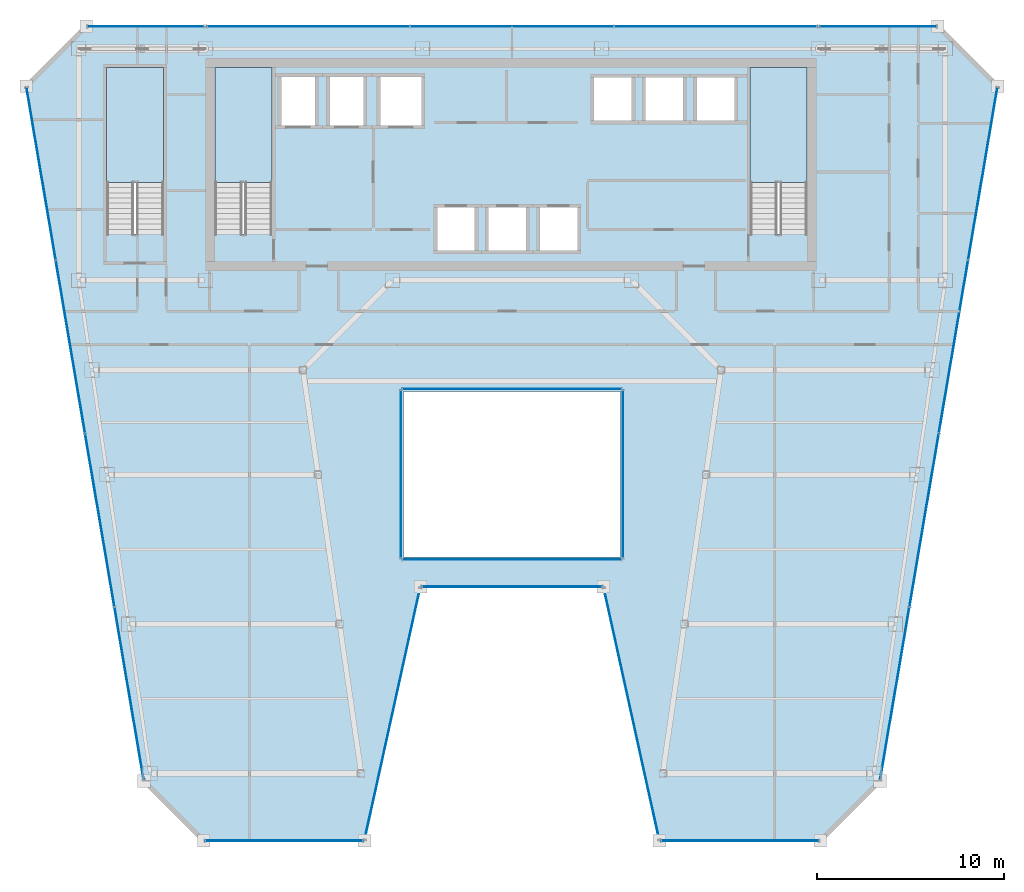
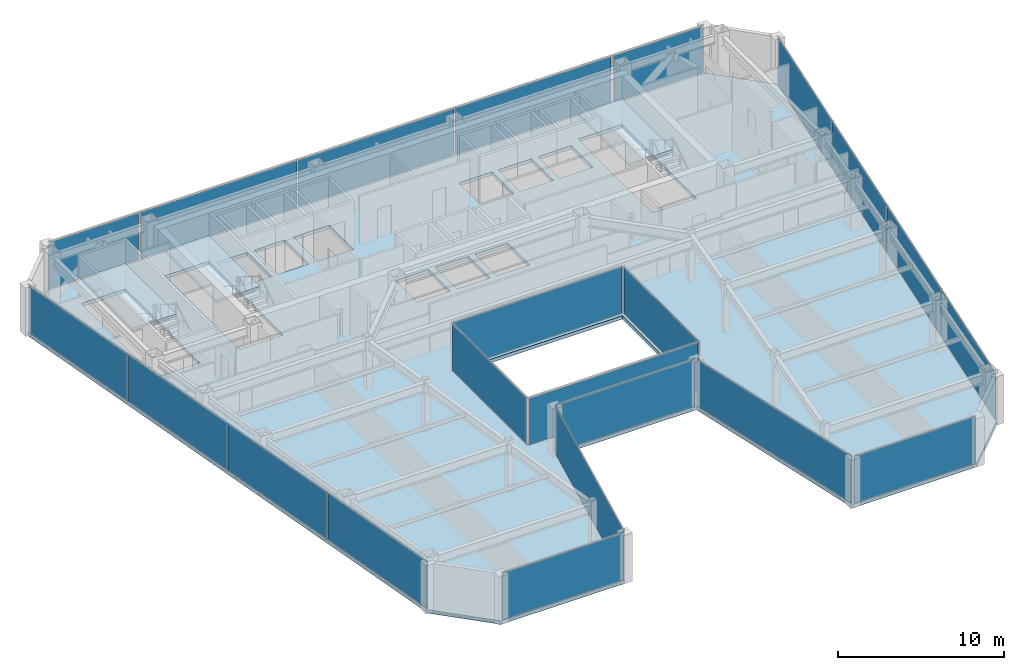
# One storey, part 28 of 35: 22 plates, 4 slabs, 17 elements without a shape of their own.
"""IFC4 building model written with IfcOpenShell, lengths in metres."""

from ifc_helpers import new_model, si_unit, direction, frame, origin, origin_2d, place, context, subcontext, project, spatial, polyline, rectangle, outline, extrude, material, layer, layer_set, type_object, element, aggregate, save


model = new_model("IFC4")

# Units and contexts
model_context = context("Model", 3, precision=1e-05, world=origin(), true_north=direction((0.0, 1.0)))
body_context = subcontext(model_context, "Body", "Model", "MODEL_VIEW")
ifc_project = project(units=[si_unit("LENGTHUNIT", "METRE"), si_unit("AREAUNIT", "SQUARE_METRE"), si_unit("VOLUMEUNIT", "CUBIC_METRE"), si_unit("PLANEANGLEUNIT", "RADIAN"), si_unit("MASSUNIT", "GRAM", prefix="KILO")], contexts=[model_context])

# Site, building, storey
site_placement = place(None, origin())
site = spatial("IfcSite", under=ifc_project, at=site_placement, CompositionType="ELEMENT")
building_placement = place(site_placement, origin())
building = spatial("IfcBuilding", under=site, at=building_placement, Name="Saevonmaru Cultural Tower", CompositionType="ELEMENT")
storey_placement = place(building_placement, frame((0.0, 0.0, 213.199951171875)))
storey = spatial("IfcBuildingStorey", under=building, at=storey_placement, Name="L49", CompositionType="ELEMENT", Elevation=213.199951171875)

# Curtain wall, plate
ifc_material_1 = material(Name="Satin Bronze Anodised Aluminium", Category="aluminium")
curtain_wall_type_1 = type_object("IfcCurtainWallType", Name="CW-ATR-GLZ", PredefinedType="NOTDEFINED", material=ifc_material_1)
curtain_wall_1_placement = place(storey_placement, origin())
curtain_wall_1 = element("IfcCurtainWall", 1, at=curtain_wall_1_placement, inside=storey, type_object=curtain_wall_type_1, Name="L49 Vertical Atrium Glazed Smoke Screen 1", PredefinedType="NOTDEFINED")
ifc_material_2 = material(Name="Fire-Rated Laminated Atrium Glass", Category="glass")
ifc_layer_1 = layer(ifc_material_2, 0.031982421875, Name="Fire-Rated Laminated Atrium Glass")
ifc_layer_set_1 = layer_set([ifc_layer_1], Name="Fire-Rated Laminated Atrium Glass")
plate_type_1 = type_object("IfcPlateType", Name="PN-GLZ-ATR-INT", PredefinedType="CURTAIN_PANEL", material=ifc_layer_set_1)
plate_1_placement = place(storey_placement, frame((30.0, 27.449951171875, 0.067138671875), z_axis=(0.0, 0.0, 1.0), x_axis=(1.0, 0.0, 0.0)))
plate_1 = element("IfcPlate", 2, at=plate_1_placement, type_object=plate_type_1, Name="CW-ATR-L49-1 panel 1.1", PredefinedType="CURTAIN_PANEL", context=body_context, shape_type="SweptSolid", body=[
    extrude(rectangle(XDim=11.7109375, YDim=0.031982421875, at=origin_2d()), origin(), (0.0, 0.0, 1.0), 3.416015625),
])
aggregate(curtain_wall_1, [plate_1])

curtain_wall_2_placement = place(storey_placement, origin())
curtain_wall_2 = element("IfcCurtainWall", 3, at=curtain_wall_2_placement, inside=storey, type_object=curtain_wall_type_1, Name="L49 Vertical Atrium Glazed Smoke Screen 2", PredefinedType="NOTDEFINED")
plate_2_placement = place(storey_placement, frame((35.949951171875, 32.02001953125, 0.067138671875), z_axis=(0.0, 0.0, 1.0), x_axis=(0.0, 1.0, 0.0)))
plate_2 = element("IfcPlate", 4, at=plate_2_placement, type_object=plate_type_1, Name="CW-ATR-L49-2 panel 1.1", PredefinedType="CURTAIN_PANEL", context=body_context, shape_type="SweptSolid", body=[
    extrude(rectangle(XDim=8.950927734375, YDim=0.031982421875, at=origin_2d()), origin(), (0.0, 0.0, 1.0), 3.416015625),
])
aggregate(curtain_wall_2, [plate_2])

curtain_wall_3_placement = place(storey_placement, origin())
curtain_wall_3 = element("IfcCurtainWall", 5, at=curtain_wall_3_placement, inside=storey, type_object=curtain_wall_type_1, Name="L49 Vertical Atrium Glazed Smoke Screen 3", PredefinedType="NOTDEFINED")
plate_3_placement = place(storey_placement, frame((30.0, 36.590087890625, 0.067138671875), z_axis=(0.0, 0.0, 1.0), x_axis=(-1.0, 0.0, 0.0)))
plate_3 = element("IfcPlate", 6, at=plate_3_placement, type_object=plate_type_1, Name="CW-ATR-L49-3 panel 1.1", PredefinedType="CURTAIN_PANEL", context=body_context, shape_type="SweptSolid", body=[
    extrude(rectangle(XDim=11.7109375, YDim=0.031982421875, at=origin_2d()), origin(), (0.0, 0.0, 1.0), 3.416015625),
])
aggregate(curtain_wall_3, [plate_3])

curtain_wall_4_placement = place(storey_placement, origin())
curtain_wall_4 = element("IfcCurtainWall", 7, at=curtain_wall_4_placement, inside=storey, type_object=curtain_wall_type_1, Name="L49 Vertical Atrium Glazed Smoke Screen 4", PredefinedType="NOTDEFINED")
plate_4_placement = place(storey_placement, frame((24.050048828125, 32.02001953125, 0.067138671875), z_axis=(0.0, 0.0, 1.0), x_axis=(0.0, -1.0, 0.0)))
plate_4 = element("IfcPlate", 8, at=plate_4_placement, type_object=plate_type_1, Name="CW-ATR-L49-4 panel 1.1", PredefinedType="CURTAIN_PANEL", context=body_context, shape_type="SweptSolid", body=[
    extrude(rectangle(XDim=8.950927734375, YDim=0.031982421875, at=origin_2d()), origin(), (0.0, 0.0, 1.0), 3.416015625),
])
aggregate(curtain_wall_4, [plate_4])

curtain_wall_type_2 = type_object("IfcCurtainWallType", Name="CW-TYP-B", PredefinedType="NOTDEFINED", material=ifc_material_1)
curtain_wall_5_placement = place(storey_placement, origin())
curtain_wall_5 = element("IfcCurtainWall", 9, at=curtain_wall_5_placement, inside=storey, type_object=curtain_wall_type_2, Name="L49 Unitised Curtain Wall E2", PredefinedType="NOTDEFINED")
ifc_material_3 = material(Name="Triple Silver Low-E Insulating Glass", Category="glass")
ifc_layer_2 = layer(ifc_material_3, 0.035888671875, Name="Triple Silver Low-E Insulating Glass")
ifc_layer_set_2 = layer_set([ifc_layer_2], Name="Triple Silver Low-E Insulating Glass")
plate_type_2 = type_object("IfcPlateType", Name="PN-GLZ-IGU", PredefinedType="CURTAIN_PANEL", material=ifc_layer_set_2)
plate_5_placement = place(storey_placement, frame((17.7978515625, 12.39990234375, 0.067138671875), z_axis=(0.0, 0.0, 1.0), x_axis=(1.0, 0.0, 0.0)))
plate_5 = element("IfcPlate", 10, at=plate_5_placement, type_object=plate_type_2, Name="CW-TW-L49-E2 panel 1.1", PredefinedType="CURTAIN_PANEL", context=body_context, shape_type="SweptSolid", body=[
    extrude(rectangle(XDim=8.410888671875, YDim=0.035888671875, at=origin_2d()), origin(), (0.0, 0.0, 1.0), 3.416015625),
])
aggregate(curtain_wall_5, [plate_5])

curtain_wall_6_placement = place(storey_placement, origin())
curtain_wall_6 = element("IfcCurtainWall", 11, at=curtain_wall_6_placement, inside=storey, type_object=curtain_wall_type_2, Name="L49 Unitised Curtain Wall E3", PredefinedType="NOTDEFINED")
plate_6_placement = place(storey_placement, frame((23.597900390625, 19.199951171875, 0.067138671875), z_axis=(0.0, 0.0, 1.0), x_axis=(0.215413319953, 0.976522965212, 0.0)))
plate_6 = element("IfcPlate", 12, at=plate_6_placement, type_object=plate_type_2, Name="CW-TW-L49-E3 panel 1.1", PredefinedType="CURTAIN_PANEL", context=body_context, shape_type="SweptSolid", body=[
    extrude(rectangle(XDim=13.738037109375, YDim=0.035888671875, at=origin_2d()), origin(), (0.0, 0.0, 1.0), 3.416015625),
])
aggregate(curtain_wall_6, [plate_6])

curtain_wall_7_placement = place(storey_placement, origin())
curtain_wall_7 = element("IfcCurtainWall", 13, at=curtain_wall_7_placement, inside=storey, type_object=curtain_wall_type_2, Name="L49 Unitised Curtain Wall E4", PredefinedType="NOTDEFINED")
plate_7_placement = place(storey_placement, frame((30.0, 26.0, 0.067138671875), z_axis=(0.0, 0.0, 1.0), x_axis=(1.0, 0.0, 0.0)))
plate_7 = element("IfcPlate", 14, at=plate_7_placement, type_object=plate_type_2, Name="CW-TW-L49-E4 panel 1.1", PredefinedType="CURTAIN_PANEL", context=body_context, shape_type="SweptSolid", body=[
    extrude(rectangle(XDim=9.615478515625, YDim=0.035888671875, at=origin_2d()), origin(), (0.0, 0.0, 1.0), 3.416015625),
])
aggregate(curtain_wall_7, [plate_7])

curtain_wall_8_placement = place(storey_placement, origin())
curtain_wall_8 = element("IfcCurtainWall", 15, at=curtain_wall_8_placement, inside=storey, type_object=curtain_wall_type_2, Name="L49 Unitised Curtain Wall E5", PredefinedType="NOTDEFINED")
plate_8_placement = place(storey_placement, frame((36.402099609375, 19.199951171875, 0.067138671875), z_axis=(0.0, 0.0, 1.0), x_axis=(0.215413319953, -0.976522965212, 0.0)))
plate_8 = element("IfcPlate", 16, at=plate_8_placement, type_object=plate_type_2, Name="CW-TW-L49-E5 panel 1.1", PredefinedType="CURTAIN_PANEL", context=body_context, shape_type="SweptSolid", body=[
    extrude(rectangle(XDim=13.738037109375, YDim=0.035888671875, at=origin_2d()), origin(), (0.0, 0.0, 1.0), 3.416015625),
])
aggregate(curtain_wall_8, [plate_8])

curtain_wall_9_placement = place(storey_placement, origin())
curtain_wall_9 = element("IfcCurtainWall", 17, at=curtain_wall_9_placement, inside=storey, type_object=curtain_wall_type_2, Name="L49 Unitised Curtain Wall E6", PredefinedType="NOTDEFINED")
plate_9_placement = place(storey_placement, frame((42.2021484375, 12.39990234375, 0.067138671875), z_axis=(0.0, 0.0, 1.0), x_axis=(1.0, 0.0, 0.0)))
plate_9 = element("IfcPlate", 18, at=plate_9_placement, type_object=plate_type_2, Name="CW-TW-L49-E6 panel 1.1", PredefinedType="CURTAIN_PANEL", context=body_context, shape_type="SweptSolid", body=[
    extrude(rectangle(XDim=8.410888671875, YDim=0.035888671875, at=origin_2d()), origin(), (0.0, 0.0, 1.0), 3.416015625),
])
aggregate(curtain_wall_9, [plate_9])

# Curtain wall, plates
curtain_wall_10_placement = place(storey_placement, origin())
curtain_wall_10 = element("IfcCurtainWall", 19, at=curtain_wall_10_placement, inside=storey, type_object=curtain_wall_type_2, Name="L49 Unitised Curtain Wall E8", PredefinedType="NOTDEFINED")
plate_10_placement = place(storey_placement, frame((50.496826171875, 20.29443359375, 0.067138671875), z_axis=(0.0, 0.0, 1.0), x_axis=(0.16692169721, 0.985970155228, 0.0)))
plate_10 = element("IfcPlate", 20, at=plate_10_placement, type_object=plate_type_2, Name="CW-TW-L49-E8 panel 1.1", PredefinedType="CURTAIN_PANEL", context=body_context, shape_type="SweptSolid", body=[
    extrude(rectangle(XDim=9.333251953125, YDim=0.035888671875, at=origin_2d()), origin(), (0.0, 0.0, 1.0), 3.416015625),
])
plate_11_placement = place(storey_placement, frame((52.06640625, 29.564697265625, 0.067138671875), z_axis=(0.0, 0.0, 1.0), x_axis=(0.16692169721, 0.985970155228, 0.0)))
plate_11 = element("IfcPlate", 21, at=plate_11_placement, type_object=plate_type_2, Name="CW-TW-L49-E8 panel 2.1", PredefinedType="CURTAIN_PANEL", context=body_context, shape_type="SweptSolid", body=[
    extrude(rectangle(XDim=9.333251953125, YDim=0.035888671875, at=origin_2d()), origin(), (0.0, 0.0, 1.0), 3.416015625),
])
plate_12_placement = place(storey_placement, frame((53.6357421875, 38.835205078125, 0.067138671875), z_axis=(0.0, 0.0, 1.0), x_axis=(0.16692169721, 0.985970155228, 0.0)))
plate_12 = element("IfcPlate", 22, at=plate_12_placement, type_object=plate_type_2, Name="CW-TW-L49-E8 panel 3.1", PredefinedType="CURTAIN_PANEL", context=body_context, shape_type="SweptSolid", body=[
    extrude(rectangle(XDim=9.333251953125, YDim=0.035888671875, at=origin_2d()), origin(), (0.0, 0.0, 1.0), 3.416015625),
])
plate_13_placement = place(storey_placement, frame((55.205322265625, 48.105712890625, 0.067138671875), z_axis=(0.0, 0.0, 1.0), x_axis=(0.16692169721, 0.985970155228, 0.0)))
plate_13 = element("IfcPlate", 23, at=plate_13_placement, type_object=plate_type_2, Name="CW-TW-L49-E8 panel 4.1", PredefinedType="CURTAIN_PANEL", context=body_context, shape_type="SweptSolid", body=[
    extrude(rectangle(XDim=9.333251953125, YDim=0.035888671875, at=origin_2d()), origin(), (0.0, 0.0, 1.0), 3.416015625),
])
aggregate(curtain_wall_10, [plate_10, plate_11, plate_12, plate_13])

curtain_wall_11_placement = place(storey_placement, origin())
curtain_wall_11 = element("IfcCurtainWall", 24, at=curtain_wall_11_placement, inside=storey, type_object=curtain_wall_type_2, Name="L49 North Spine Unitised Curtain Wall E10B", PredefinedType="NOTDEFINED")
plate_14_placement = place(storey_placement, frame((40.893310546875, 56.0, 0.067138671875), z_axis=(0.0, 0.0, 1.0), x_axis=(-1.0, 0.0, 0.0)))
plate_14 = element("IfcPlate", 25, at=plate_14_placement, type_object=plate_type_2, Name="CW-TW-L49-E10B panel 1.1", PredefinedType="CURTAIN_PANEL", context=body_context, shape_type="SweptSolid", body=[
    extrude(rectangle(XDim=10.82421875, YDim=0.035888671875, at=origin_2d()), origin(), (0.0, 0.0, 1.0), 3.416015625),
])
plate_15_placement = place(storey_placement, frame((30.0, 56.0, 0.067138671875), z_axis=(0.0, 0.0, 1.0), x_axis=(-1.0, 0.0, 0.0)))
plate_15 = element("IfcPlate", 26, at=plate_15_placement, type_object=plate_type_2, Name="CW-TW-L49-E10B panel 2.1", PredefinedType="CURTAIN_PANEL", context=body_context, shape_type="SweptSolid", body=[
    extrude(rectangle(XDim=10.82421875, YDim=0.035888671875, at=origin_2d()), origin(), (0.0, 0.0, 1.0), 3.416015625),
])
plate_16_placement = place(storey_placement, frame((19.106689453125, 56.0, 0.067138671875), z_axis=(0.0, 0.0, 1.0), x_axis=(-1.0, 0.0, 0.0)))
plate_16 = element("IfcPlate", 27, at=plate_16_placement, type_object=plate_type_2, Name="CW-TW-L49-E10B panel 3.1", PredefinedType="CURTAIN_PANEL", context=body_context, shape_type="SweptSolid", body=[
    extrude(rectangle(XDim=10.82421875, YDim=0.035888671875, at=origin_2d()), origin(), (0.0, 0.0, 1.0), 3.416015625),
])
aggregate(curtain_wall_11, [plate_14, plate_15, plate_16])

curtain_wall_12_placement = place(storey_placement, origin())
curtain_wall_12 = element("IfcCurtainWall", 28, at=curtain_wall_12_placement, inside=storey, type_object=curtain_wall_type_2, Name="L49 Unitised Curtain Wall E12", PredefinedType="NOTDEFINED")
plate_17_placement = place(storey_placement, frame((4.794677734375, 48.105712890625, 0.067138671875), z_axis=(0.0, 0.0, 1.0), x_axis=(0.16692169721, -0.985970155228, 0.0)))
plate_17 = element("IfcPlate", 29, at=plate_17_placement, type_object=plate_type_2, Name="CW-TW-L49-E12 panel 1.1", PredefinedType="CURTAIN_PANEL", context=body_context, shape_type="SweptSolid", body=[
    extrude(rectangle(XDim=9.333251953125, YDim=0.035888671875, at=origin_2d()), origin(), (0.0, 0.0, 1.0), 3.416015625),
])
plate_18_placement = place(storey_placement, frame((6.3642578125, 38.835205078125, 0.067138671875), z_axis=(0.0, 0.0, 1.0), x_axis=(0.16692169721, -0.985970155228, 0.0)))
plate_18 = element("IfcPlate", 30, at=plate_18_placement, type_object=plate_type_2, Name="CW-TW-L49-E12 panel 2.1", PredefinedType="CURTAIN_PANEL", context=body_context, shape_type="SweptSolid", body=[
    extrude(rectangle(XDim=9.333251953125, YDim=0.035888671875, at=origin_2d()), origin(), (0.0, 0.0, 1.0), 3.416015625),
])
plate_19_placement = place(storey_placement, frame((7.93359375, 29.564697265625, 0.067138671875), z_axis=(0.0, 0.0, 1.0), x_axis=(0.16692169721, -0.985970155228, 0.0)))
plate_19 = element("IfcPlate", 31, at=plate_19_placement, type_object=plate_type_2, Name="CW-TW-L49-E12 panel 3.1", PredefinedType="CURTAIN_PANEL", context=body_context, shape_type="SweptSolid", body=[
    extrude(rectangle(XDim=9.333251953125, YDim=0.035888671875, at=origin_2d()), origin(), (0.0, 0.0, 1.0), 3.416015625),
])
plate_20_placement = place(storey_placement, frame((9.503173828125, 20.29443359375, 0.067138671875), z_axis=(0.0, 0.0, 1.0), x_axis=(0.16692169721, -0.985970155228, 0.0)))
plate_20 = element("IfcPlate", 32, at=plate_20_placement, type_object=plate_type_2, Name="CW-TW-L49-E12 panel 4.1", PredefinedType="CURTAIN_PANEL", context=body_context, shape_type="SweptSolid", body=[
    extrude(rectangle(XDim=9.333251953125, YDim=0.035888671875, at=origin_2d()), origin(), (0.0, 0.0, 1.0), 3.416015625),
])
aggregate(curtain_wall_12, [plate_17, plate_18, plate_19, plate_20])

# Curtain wall, plate
curtain_wall_13_placement = place(storey_placement, origin())
curtain_wall_13 = element("IfcCurtainWall", 33, at=curtain_wall_13_placement, inside=storey, type_object=curtain_wall_type_2, Name="L49 East Braced Bay Spandrel Curtain Wall E10A", PredefinedType="NOTDEFINED")
ifc_material_4 = material(Name="Insulated Satin Bronze Aluminium Spandrel Panel", Category="aluminium")
ifc_layer_3 = layer(ifc_material_4, 0.0400390625, Name="Insulated Satin Bronze Aluminium Spandrel Panel")
ifc_layer_set_3 = layer_set([ifc_layer_3], Name="Insulated Satin Bronze Aluminium Spandrel Panel")
plate_type_3 = type_object("IfcPlateType", Name="PN-SPANDREL-BRONZE", PredefinedType="CURTAIN_PANEL", material=ifc_layer_set_3)
plate_21_placement = place(storey_placement, frame((49.60009765625, 56.0, 0.067138671875), z_axis=(0.0, 0.0, 1.0), x_axis=(-1.0, 0.0, 0.0)))
plate_21 = element("IfcPlate", 34, at=plate_21_placement, type_object=plate_type_3, Name="CW-TW-L49-E10A panel 1.1", PredefinedType="CURTAIN_PANEL", context=body_context, shape_type="SweptSolid", body=[
    extrude(rectangle(XDim=6.2109375, YDim=0.035888671875, at=origin_2d()), origin(), (0.0, 0.0, 1.0), 3.416015625),
])
aggregate(curtain_wall_13, [plate_21])

curtain_wall_14_placement = place(storey_placement, origin())
curtain_wall_14 = element("IfcCurtainWall", 35, at=curtain_wall_14_placement, inside=storey, type_object=curtain_wall_type_2, Name="L49 West Braced Bay Spandrel Curtain Wall E10C", PredefinedType="NOTDEFINED")
plate_22_placement = place(storey_placement, frame((10.39990234375, 56.0, 0.067138671875), z_axis=(0.0, 0.0, 1.0), x_axis=(-1.0, 0.0, 0.0)))
plate_22 = element("IfcPlate", 36, at=plate_22_placement, type_object=plate_type_3, Name="CW-TW-L49-E10C panel 1.1", PredefinedType="CURTAIN_PANEL", context=body_context, shape_type="SweptSolid", body=[
    extrude(rectangle(XDim=6.2109375, YDim=0.035888671875, at=origin_2d()), origin(), (0.0, 0.0, 1.0), 3.416015625),
])
aggregate(curtain_wall_14, [plate_22])

# Slab
ifc_material_5 = material(Name="Concrete C40/50", Category="concrete")
ifc_layer_4 = layer(ifc_material_5, 0.25, Name="Concrete C40/50")
ifc_layer_set_4 = layer_set([ifc_layer_4], Name="Concrete C40/50")
slab_type_1 = type_object("IfcSlabType", Name="SL-FLR-250", PredefinedType="FLOOR", material=ifc_layer_set_4)
slab_1_placement = place(storey_placement, frame((0.0, 0.0, -0.25)))
element("IfcSlab", 37, at=slab_1_placement, inside=storey, type_object=slab_type_1, Name="L49 Tower Structural Floor Slab", PredefinedType="FLOOR", context=body_context, shape_type="SweptSolid", body=[
    extrude(outline(polyline([(10.2978515625, 15.60009765625), (13.497802734375, 12.39990234375), (22.097900390625, 12.39990234375), (25.097900390625, 26.0), (34.902099609375, 26.0), (37.902099609375, 12.39990234375), (46.502197265625, 12.39990234375), (49.7021484375, 15.60009765625), (56.0, 52.800048828125), (52.800048828125, 56.0), (7.199951171875, 56.0), (4.0, 52.800048828125), (10.2978515625, 15.60009765625)]), holes=[polyline([(45.800048828125, 44.875), (42.75, 44.875), (42.75, 53.800048828125), (45.800048828125, 53.800048828125), (45.800048828125, 44.875)]), polyline([(39.75, 50.800048828125), (39.75, 53.39990234375), (42.050048828125, 53.39990234375), (42.050048828125, 50.800048828125), (39.75, 50.800048828125)]), polyline([(37.0, 50.800048828125), (37.0, 53.39990234375), (39.300048828125, 53.39990234375), (39.300048828125, 50.800048828125), (37.0, 50.800048828125)]), polyline([(34.25, 50.800048828125), (34.25, 53.39990234375), (36.550048828125, 53.39990234375), (36.550048828125, 50.800048828125), (34.25, 50.800048828125)]), polyline([(24.199951171875, 27.60009765625), (24.199951171875, 36.43994140625), (35.800048828125, 36.43994140625), (35.800048828125, 27.60009765625), (24.199951171875, 27.60009765625)]), polyline([(31.35009765625, 43.85009765625), (31.35009765625, 46.449951171875), (33.64990234375, 46.449951171875), (33.64990234375, 43.85009765625), (31.35009765625, 43.85009765625)]), polyline([(28.60009765625, 43.85009765625), (28.60009765625, 46.449951171875), (30.89990234375, 46.449951171875), (30.89990234375, 43.85009765625), (28.60009765625, 43.85009765625)]), polyline([(28.14990234375, 43.85009765625), (25.85009765625, 43.85009765625), (25.85009765625, 46.449951171875), (28.14990234375, 46.449951171875), (28.14990234375, 43.85009765625)]), polyline([(25.300048828125, 50.550048828125), (22.800048828125, 50.550048828125), (22.800048828125, 53.449951171875), (25.300048828125, 53.449951171875), (25.300048828125, 50.550048828125)]), polyline([(20.10009765625, 50.550048828125), (20.10009765625, 53.449951171875), (22.199951171875, 53.449951171875), (22.199951171875, 50.550048828125), (20.10009765625, 50.550048828125)]), polyline([(17.5, 50.550048828125), (17.5, 53.449951171875), (19.60009765625, 53.449951171875), (19.60009765625, 50.550048828125), (17.5, 50.550048828125)]), polyline([(17.14990234375, 53.800048828125), (17.14990234375, 44.875), (14.10009765625, 44.875), (14.10009765625, 53.800048828125), (17.14990234375, 53.800048828125)]), polyline([(11.35009765625, 44.875), (8.300048828125, 44.875), (8.300048828125, 53.800048828125), (11.35009765625, 53.800048828125), (11.35009765625, 44.875)])]), origin(), (0.0, 0.0, 1.0), 0.25),
])

# Stair, slab
stair_type = type_object("IfcStairType", Name="STR-DOGLEG-RC", PredefinedType="HALF_TURN_STAIR", material=ifc_material_5)
stair_1_placement = place(storey_placement, origin())
stair_1 = element("IfcStair", 38, at=stair_1_placement, inside=storey, type_object=stair_type, Name="L49 Protected exit stair ST-1", PredefinedType="HALF_TURN_STAIR")
ifc_layer_5 = layer(ifc_material_5, 0.199951171875, Name="Concrete C40/50")
ifc_layer_set_5 = layer_set([ifc_layer_5], Name="Concrete C40/50")
slab_type_2 = type_object("IfcSlabType", Name="SL-STAIR-LANDING", PredefinedType="LANDING", material=ifc_layer_set_5)
slab_2_placement = place(storey_placement, frame((0.0, 0.0, 1.699951171875)))
slab_2 = element("IfcSlab", 39, at=slab_2_placement, type_object=slab_type_2, Name="ST-1-L49 landing 1", PredefinedType="LANDING", context=body_context, shape_type="SweptSolid", body=[
    extrude(outline(polyline([(17.14990234375, 47.64990234375), (17.14990234375, 53.800048828125), (14.10009765625, 53.800048828125), (14.10009765625, 47.64990234375), (17.14990234375, 47.64990234375)])), origin(), (0.0, 0.0, 1.0), 0.2001953125),
])
aggregate(stair_1, [slab_2])

stair_2_placement = place(storey_placement, origin())
stair_2 = element("IfcStair", 40, at=stair_2_placement, inside=storey, type_object=stair_type, Name="L49 Protected exit stair ST-2", PredefinedType="HALF_TURN_STAIR")
slab_3_placement = place(storey_placement, frame((0.0, 0.0, 1.699951171875)))
slab_3 = element("IfcSlab", 41, at=slab_3_placement, type_object=slab_type_2, Name="ST-2-L49 landing 1", PredefinedType="LANDING", context=body_context, shape_type="SweptSolid", body=[
    extrude(outline(polyline([(45.800048828125, 47.64990234375), (45.800048828125, 53.800048828125), (42.75, 53.800048828125), (42.75, 47.64990234375), (45.800048828125, 47.64990234375)])), origin(), (0.0, 0.0, 1.0), 0.2001953125),
])
aggregate(stair_2, [slab_3])

stair_3_placement = place(storey_placement, origin())
stair_3 = element("IfcStair", 42, at=stair_3_placement, inside=storey, type_object=stair_type, Name="L49 Protected exit stair ST-3", PredefinedType="HALF_TURN_STAIR")
slab_4_placement = place(storey_placement, frame((0.0, 0.0, 1.699951171875)))
slab_4 = element("IfcSlab", 43, at=slab_4_placement, type_object=slab_type_2, Name="ST-3-L49 landing 1", PredefinedType="LANDING", context=body_context, shape_type="SweptSolid", body=[
    extrude(outline(polyline([(11.35009765625, 47.64990234375), (11.35009765625, 53.800048828125), (8.300048828125, 53.800048828125), (8.300048828125, 47.64990234375), (11.35009765625, 47.64990234375)])), origin(), (0.0, 0.0, 1.0), 0.2001953125),
])
aggregate(stair_3, [slab_4])

save(model, "model.ifc")
